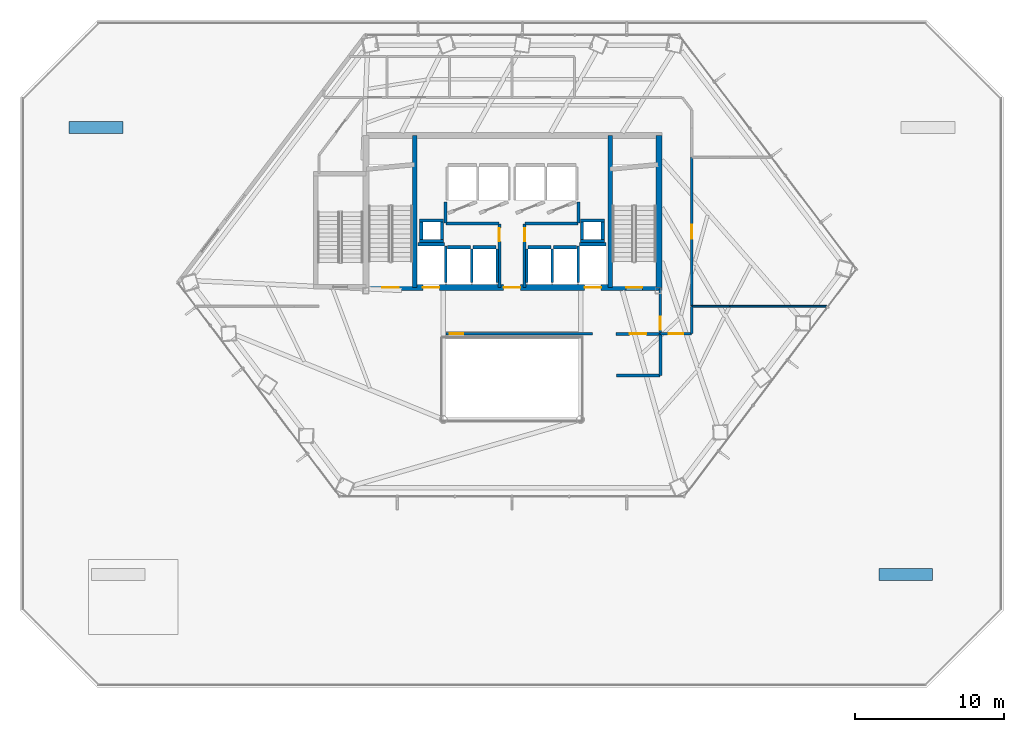
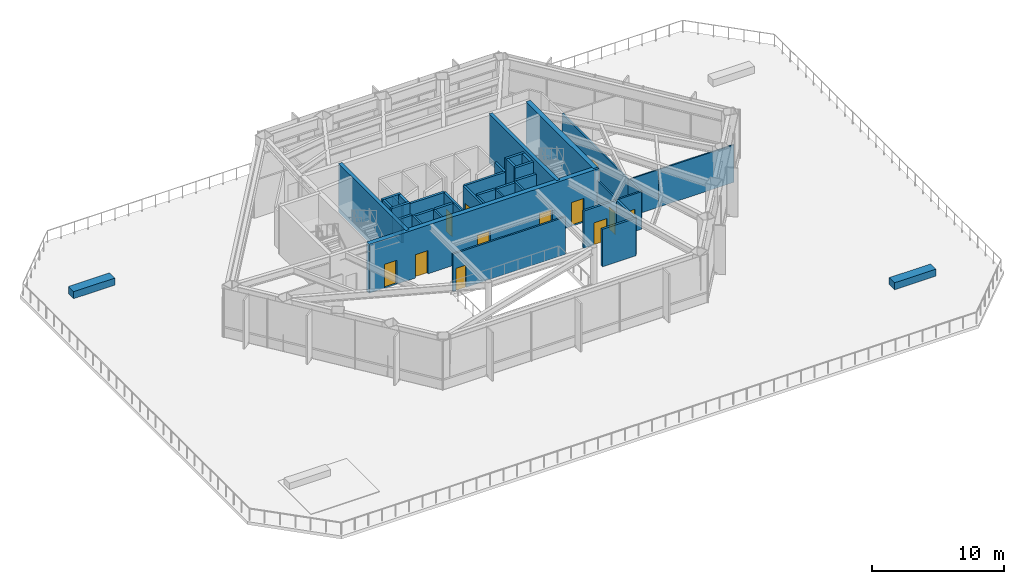
# One storey, part 21 of 30: 42 walls, 12 doors, 12 openings.
"""IFC4 building model written with IfcOpenShell, lengths in metres."""

from ifc_helpers import new_model, si_unit, direction, frame, frame_2d, origin, place, context, subcontext, project, spatial, rectangle, extrude, material, layer, layer_set, type_object, element, fill, save


model = new_model("IFC4")

# Units and contexts
model_context = context("Model", 3, precision=1e-05, world=origin(), true_north=direction((0.0, 1.0)))
body_context = subcontext(model_context, "Body", "Model", "MODEL_VIEW")
ifc_project = project(units=[si_unit("LENGTHUNIT", "METRE"), si_unit("AREAUNIT", "SQUARE_METRE"), si_unit("VOLUMEUNIT", "CUBIC_METRE"), si_unit("PLANEANGLEUNIT", "RADIAN"), si_unit("MASSUNIT", "GRAM", prefix="KILO")], contexts=[model_context])

# Site, building, storey
site_placement = place(None, origin())
site = spatial("IfcSite", under=ifc_project, at=site_placement, CompositionType="ELEMENT")
building_placement = place(site_placement, origin())
building = spatial("IfcBuilding", under=site, at=building_placement, Name="Zarrinselat Tower", CompositionType="ELEMENT")
storey_placement = place(building_placement, frame((0.0, 0.0, 22.780029296875)))
storey = spatial("IfcBuildingStorey", under=building, at=storey_placement, Name="L05", CompositionType="ELEMENT", Elevation=22.780029296875)

# Wall, opening, door
ifc_material_1 = material(Name="Concrete C40/50", Category="concrete")
ifc_layer_1 = layer(ifc_material_1, 0.18994140625)
ifc_layer_set_1 = layer_set([ifc_layer_1], Name="Concrete C40/50")
wall_type_1 = type_object("IfcWallType", Name="WAL-PART-EI120", PredefinedType="PARTITIONING", material=ifc_layer_set_1)
wall_1_placement = place(storey_placement, frame((45.385009765625, 30.14990234375, 0.0), z_axis=(0.0, 0.0, 1.0), x_axis=(1.0, 0.0, 0.0)))
wall_1 = element("IfcWall", 1, at=wall_1_placement, inside=storey, type_object=wall_type_1, Name="L05 Partition Wall 7", PredefinedType="PARTITIONING", context=body_context, shape_type="SweptSolid", body=[
    extrude(rectangle(XDim=2.945068359375, YDim=0.18994140625, at=frame_2d((1.47265625, 0.0))), origin(), (0.0, 0.0, 1.0), 3.45703125),
])
opening_1_placement = place(wall_1_placement, frame((0.91259765625, 0.0, 0.0)))
opening_1 = element("IfcOpeningElement", 2, at=opening_1_placement, cuts=wall_1, Name="Opening ID-02", PredefinedType="OPENING", context=body_context, shape_type="SweptSolid", body=[
    extrude(rectangle(XDim=1.1201171875, YDim=2.050048828125, at=frame_2d((0.56005859375, 1.02490234375))), frame((0.0, 0.10498046875, 0.0), z_axis=(0.0, -1.0, 0.0), x_axis=(1.0, 0.0, 0.0)), (0.0, 0.0, 1.0), 0.2099609375),
])
ifc_material_2 = material(Name="Steel S355J2", Category="steel")
door_type_1 = type_object("IfcDoorType", Name="DR-INT-FD60-W", OperationType="NOTDEFINED", PredefinedType="DOOR", material=ifc_material_2)
door_1_placement = place(opening_1_placement, origin())
door_1 = element("IfcDoor", 3, at=door_1_placement, inside=storey, type_object=door_type_1, Name="L05 Interior Door P7", OperationType="SINGLE_SWING_RIGHT", OverallHeight=2.050048828125, OverallWidth=1.1201171875, PredefinedType="DOOR", context=body_context, shape_type="SweptSolid", body=[
    extrude(rectangle(XDim=1.1201171875, YDim=2.050048828125, at=frame_2d((0.56005859375, 1.02490234375))), frame((0.0, 0.02490234375, 0.0), z_axis=(0.0, -1.0, 0.0), x_axis=(1.0, 0.0, 0.0)), (0.0, 0.0, 1.0), 0.050048828125),
])
fill(opening_1, door_1)

# Walls
wall_2_placement = place(storey_placement, frame((45.39990234375, 27.35009765625, 0.0), z_axis=(0.0, 0.0, 1.0), x_axis=(1.0, 0.0, 0.0)))
element("IfcWall", 4, at=wall_2_placement, inside=storey, type_object=wall_type_1, Name="L05 Partition Wall 10", PredefinedType="PARTITIONING", context=body_context, shape_type="SweptSolid", body=[
    extrude(rectangle(XDim=2.93017578125, YDim=0.18994140625, at=frame_2d((1.465087890625, 0.0))), origin(), (0.0, 0.0, 1.0), 3.45703125),
])
wall_3_placement = place(storey_placement, frame((48.35009765625, 27.3701171875, 0.0), z_axis=(0.0, 0.0, 1.0), x_axis=(0.0, 1.0, 0.0)))
element("IfcWall", 5, at=wall_3_placement, inside=storey, type_object=wall_type_1, Name="L05 Partition Wall 11", PredefinedType="PARTITIONING", context=body_context, shape_type="SweptSolid", body=[
    extrude(rectangle(XDim=2.759765625, YDim=0.18994140625, at=frame_2d((1.3798828125, 0.0))), origin(), (0.0, 0.0, 1.0), 3.45703125),
])

# Wall, opening, door
ifc_material_3 = material(Name="Fire-Rated Gypsum Board Partition", Category="gypsum")
ifc_layer_2 = layer(ifc_material_3, 0.14990234375)
ifc_layer_set_2 = layer_set([ifc_layer_2], Name="Fire-Rated Gypsum Board Partition")
wall_type_2 = type_object("IfcWallType", Name="WAL-PART-EI60", PredefinedType="PARTITIONING", material=ifc_layer_set_2)
wall_4_placement = place(storey_placement, frame((48.35009765625, 30.169921875, 0.0), z_axis=(0.0, 0.0, 1.0), x_axis=(0.0, 1.0, 0.0)))
wall_4 = element("IfcWall", 6, at=wall_4_placement, inside=storey, type_object=wall_type_2, Name="L05 Partition Wall 8", PredefinedType="PARTITIONING", context=body_context, shape_type="SweptSolid", body=[
    extrude(rectangle(XDim=2.97509765625, YDim=0.14990234375, at=frame_2d((1.487548828125, 0.0))), origin(), (0.0, 0.0, 1.0), 3.45703125),
])
opening_2_placement = place(wall_4_placement, frame((0.25, 0.0, 0.0)))
opening_2 = element("IfcOpeningElement", 7, at=opening_2_placement, cuts=wall_4, Name="Opening ID-03", PredefinedType="OPENING", context=body_context, shape_type="SweptSolid", body=[
    extrude(rectangle(XDim=0.8798828125, YDim=2.050048828125, at=frame_2d((0.43994140625, 1.02490234375))), frame((0.0, 0.0849609375, 0.0), z_axis=(0.0, -1.0, 0.0), x_axis=(1.0, 0.0, 0.0)), (0.0, 0.0, 1.0), 0.169921875),
])
ifc_material_4 = material(Name="Steel S355J2", Category="steel")
door_type_2 = type_object("IfcDoorType", Name="DR-INT-FD60-S", OperationType="NOTDEFINED", PredefinedType="DOOR", material=ifc_material_4)
door_2_placement = place(opening_2_placement, origin())
door_2 = element("IfcDoor", 8, at=door_2_placement, inside=storey, type_object=door_type_2, Name="L05 Interior Door P8", OperationType="SINGLE_SWING_LEFT", OverallHeight=2.050048828125, OverallWidth=0.8798828125, PredefinedType="DOOR", context=body_context, shape_type="SweptSolid", body=[
    extrude(rectangle(XDim=0.8798828125, YDim=2.050048828125, at=frame_2d((0.43994140625, 1.02490234375))), frame((0.0, 0.02490234375, 0.0), z_axis=(0.0, -1.0, 0.0), x_axis=(1.0, 0.0, 0.0)), (0.0, 0.0, 1.0), 0.050048828125),
])
fill(opening_2, door_2)

wall_5_placement = place(storey_placement, frame((33.985107421875, 30.14990234375, 0.0), z_axis=(0.0, 0.0, 1.0), x_axis=(1.0, 0.0, 0.0)))
wall_5 = element("IfcWall", 9, at=wall_5_placement, inside=storey, type_object=wall_type_2, Name="L05 Partition Wall 9", PredefinedType="PARTITIONING", context=body_context, shape_type="SweptSolid", body=[
    extrude(rectangle(XDim=9.829833984375, YDim=0.14990234375, at=frame_2d((4.9150390625, 0.0))), origin(), (0.0, 0.0, 1.0), 3.45703125),
])
opening_3_placement = place(wall_5_placement, frame((0.25, 0.0, 0.0)))
opening_3 = element("IfcOpeningElement", 10, at=opening_3_placement, cuts=wall_5, Name="Opening ID-03", PredefinedType="OPENING", context=body_context, shape_type="SweptSolid", body=[
    extrude(rectangle(XDim=0.8798828125, YDim=2.050048828125, at=frame_2d((0.43994140625, 1.02490234375))), frame((0.0, 0.0849609375, 0.0), z_axis=(0.0, -1.0, 0.0), x_axis=(1.0, 0.0, 0.0)), (0.0, 0.0, 1.0), 0.169921875),
])
door_3_placement = place(opening_3_placement, origin())
door_3 = element("IfcDoor", 11, at=door_3_placement, inside=storey, type_object=door_type_2, Name="L05 Interior Door P9", OperationType="SINGLE_SWING_RIGHT", OverallHeight=2.050048828125, OverallWidth=0.8798828125, PredefinedType="DOOR", context=body_context, shape_type="SweptSolid", body=[
    extrude(rectangle(XDim=0.8798828125, YDim=2.050048828125, at=frame_2d((0.43994140625, 1.02490234375))), frame((0.0, 0.02490234375, 0.0), z_axis=(0.0, -1.0, 0.0), x_axis=(1.0, 0.0, 0.0)), (0.0, 0.0, 1.0), 0.050048828125),
])
fill(opening_3, door_3)

# Wall
wall_6_placement = place(storey_placement, frame((50.449951171875, 30.169921875, 0.0), z_axis=(0.0, 0.0, 1.0), x_axis=(0.0, 1.0, 0.0)))
element("IfcWall", 12, at=wall_6_placement, inside=storey, type_object=wall_type_2, Name="L05 Partition Wall 16", PredefinedType="PARTITIONING", context=body_context, shape_type="SweptSolid", body=[
    extrude(rectangle(XDim=1.8251953125, YDim=0.14990234375, at=frame_2d((0.91259765625, 0.0))), origin(), (0.0, 0.0, 1.0), 3.45703125),
])

# Wall, opening, door
wall_7_placement = place(storey_placement, frame((48.3701171875, 30.14990234375, 0.0), z_axis=(0.0, 0.0, 1.0), x_axis=(1.0, 0.0, 0.0)))
wall_7 = element("IfcWall", 13, at=wall_7_placement, inside=storey, type_object=wall_type_2, Name="L05 Partition Wall 17", PredefinedType="PARTITIONING", context=body_context, shape_type="SweptSolid", body=[
    extrude(rectangle(XDim=2.059814453125, YDim=0.14990234375, at=frame_2d((1.02978515625, 0.0))), origin(), (0.0, 0.0, 1.0), 3.45703125),
])
opening_4_placement = place(wall_7_placement, frame((0.56005859375, 0.0, 0.0)))
opening_4 = element("IfcOpeningElement", 14, at=opening_4_placement, cuts=wall_7, Name="Opening ID-04", PredefinedType="OPENING", context=body_context, shape_type="SweptSolid", body=[
    extrude(rectangle(XDim=0.93994140625, YDim=2.050048828125, at=frame_2d((0.469970703125, 1.02490234375))), frame((0.0, 0.0849609375, 0.0), z_axis=(0.0, -1.0, 0.0), x_axis=(1.0, 0.0, 0.0)), (0.0, 0.0, 1.0), 0.169921875),
])
ifc_material_5 = material(Name="Fire-Rated Gypsum Board Partition")
door_type_3 = type_object("IfcDoorType", Name="DR-INT-FD30-ENT", OperationType="NOTDEFINED", PredefinedType="DOOR", material=ifc_material_5)
door_4_placement = place(opening_4_placement, origin())
door_4 = element("IfcDoor", 15, at=door_4_placement, inside=storey, type_object=door_type_3, Name="L05 Interior Door P17", OperationType="SINGLE_SWING_LEFT", OverallHeight=2.050048828125, OverallWidth=0.93994140625, PredefinedType="DOOR", context=body_context, shape_type="SweptSolid", body=[
    extrude(rectangle(XDim=0.93994140625, YDim=2.050048828125, at=frame_2d((0.469970703125, 1.02490234375))), frame((0.0, 0.02490234375, 0.0), z_axis=(0.0, -1.0, 0.0), x_axis=(1.0, 0.0, 0.0)), (0.0, 0.0, 1.0), 0.050048828125),
])
fill(opening_4, door_4)

wall_8_placement = place(storey_placement, frame((50.449951171875, 32.0048828125, 0.0), z_axis=(0.0, 0.0, 1.0), x_axis=(0.0, 1.0, 0.0)))
wall_8 = element("IfcWall", 16, at=wall_8_placement, inside=storey, type_object=wall_type_2, Name="L05 Partition Wall 18", PredefinedType="PARTITIONING", context=body_context, shape_type="SweptSolid", body=[
    extrude(rectangle(XDim=9.990234375, YDim=0.14990234375, at=frame_2d((4.9951171875, 0.0))), origin(), (0.0, 0.0, 1.0), 3.45703125),
])
opening_5_placement = place(wall_8_placement, frame((4.52490234375, 0.0, 0.0)))
opening_5 = element("IfcOpeningElement", 17, at=opening_5_placement, cuts=wall_8, Name="Opening ID-04", PredefinedType="OPENING", context=body_context, shape_type="SweptSolid", body=[
    extrude(rectangle(XDim=0.93994140625, YDim=2.050048828125, at=frame_2d((0.469970703125, 1.02490234375))), frame((0.0, 0.0849609375, 0.0), z_axis=(0.0, -1.0, 0.0), x_axis=(1.0, 0.0, 0.0)), (0.0, 0.0, 1.0), 0.169921875),
])
door_5_placement = place(opening_5_placement, origin())
door_5 = element("IfcDoor", 18, at=door_5_placement, inside=storey, type_object=door_type_3, Name="L05 Interior Door P18", OperationType="SINGLE_SWING_RIGHT", OverallHeight=2.050048828125, OverallWidth=0.93994140625, PredefinedType="DOOR", context=body_context, shape_type="SweptSolid", body=[
    extrude(rectangle(XDim=0.93994140625, YDim=2.050048828125, at=frame_2d((0.469970703125, 1.02490234375))), frame((0.0, 0.02490234375, 0.0), z_axis=(0.0, -1.0, 0.0), x_axis=(1.0, 0.0, 0.0)), (0.0, 0.0, 1.0), 0.050048828125),
])
fill(opening_5, door_5)

ifc_material_6 = material(Name="Concrete C40/50", Category="concrete")
ifc_layer_3 = layer(ifc_material_6, 0.199951171875)
ifc_layer_set_3 = layer_set([ifc_layer_3], Name="Concrete C40/50")
wall_type_3 = type_object("IfcWallType", Name="WAL-PART-PLANT", PredefinedType="PARTITIONING", material=ifc_layer_set_3)
wall_9_placement = place(storey_placement, frame((37.550048828125, 33.264892578125, 0.0), z_axis=(0.0, 0.0, 1.0), x_axis=(0.0, 1.0, 0.0)))
wall_9 = element("IfcWall", 19, at=wall_9_placement, inside=storey, type_object=wall_type_3, Name="L05 Partition Wall 1", PredefinedType="PARTITIONING", context=body_context, shape_type="SweptSolid", body=[
    extrude(rectangle(XDim=4.26513671875, YDim=0.199951171875, at=frame_2d((2.132568359375, 0.0))), origin(), (0.0, 0.0, 1.0), 3.45703125),
])
opening_6_placement = place(wall_9_placement, frame((3.092529296875, 0.0, 0.0)))
opening_6 = element("IfcOpeningElement", 20, at=opening_6_placement, cuts=wall_9, Name="Opening ID-03", PredefinedType="OPENING", context=body_context, shape_type="SweptSolid", body=[
    extrude(rectangle(XDim=0.8798828125, YDim=2.050048828125, at=frame_2d((0.43994140625, 1.02490234375))), frame((0.0, 0.10986328125, 0.0), z_axis=(0.0, -1.0, 0.0), x_axis=(1.0, 0.0, 0.0)), (0.0, 0.0, 1.0), 0.219970703125),
])
door_6_placement = place(opening_6_placement, origin())
door_6 = element("IfcDoor", 21, at=door_6_placement, inside=storey, type_object=door_type_2, Name="L05 Interior Door P1", OperationType="SINGLE_SWING_RIGHT", OverallHeight=2.050048828125, OverallWidth=0.8798828125, PredefinedType="DOOR", context=body_context, shape_type="SweptSolid", body=[
    extrude(rectangle(XDim=0.8798828125, YDim=2.050048828125, at=frame_2d((0.43994140625, 1.02490234375))), frame((0.0, 0.02490234375, 0.0), z_axis=(0.0, -1.0, 0.0), x_axis=(1.0, 0.0, 0.0)), (0.0, 0.0, 1.0), 0.050048828125),
])
fill(opening_6, door_6)

# Walls
wall_10_placement = place(storey_placement, frame((33.969970703125, 37.550048828125, 0.0), z_axis=(0.0, 0.0, 1.0), x_axis=(1.0, 0.0, 0.0)))
element("IfcWall", 22, at=wall_10_placement, inside=storey, type_object=wall_type_3, Name="L05 Partition Wall 2", PredefinedType="PARTITIONING", context=body_context, shape_type="SweptSolid", body=[
    extrude(rectangle(XDim=3.56005859375, YDim=0.199951171875, at=frame_2d((1.780029296875, 0.0))), origin(), (0.0, 0.0, 1.0), 3.45703125),
])
for number, where, z_axis, x_axis, name in (
    (23, (33.949951171875, 37.570068359375, 0.0), (0.0, 0.0, 1.0), (0.0, 1.0, 0.0), "L05 Partition Wall 3"),
    (24, (42.85009765625, 37.570068359375, 0.0), (0.0, 0.0, 1.0), (0.0, 1.0, 0.0), "L05 Partition Wall 4"),
):
    element("IfcWall", number, at=place(storey_placement, frame(where, z_axis=z_axis, x_axis=x_axis)), inside=storey, type_object=wall_type_3, Name=name, PredefinedType="PARTITIONING", context=body_context, shape_type="SweptSolid", body=[
        extrude(rectangle(XDim=1.4150390625, YDim=0.199951171875, at=frame_2d((0.70751953125, 0.0))), origin(), (0.0, 0.0, 1.0), 3.45703125),
    ])
wall_11_placement = place(storey_placement, frame((39.27001953125, 37.550048828125, 0.0), z_axis=(0.0, 0.0, 1.0), x_axis=(1.0, 0.0, 0.0)))
element("IfcWall", 25, at=wall_11_placement, inside=storey, type_object=wall_type_3, Name="L05 Partition Wall 5", PredefinedType="PARTITIONING", context=body_context, shape_type="SweptSolid", body=[
    extrude(rectangle(XDim=3.56005859375, YDim=0.199951171875, at=frame_2d((1.780029296875, 0.0))), origin(), (0.0, 0.0, 1.0), 3.45703125),
])

# Wall, opening, door
wall_12_placement = place(storey_placement, frame((39.25, 33.264892578125, 0.0), z_axis=(0.0, 0.0, 1.0), x_axis=(0.0, 1.0, 0.0)))
wall_12 = element("IfcWall", 26, at=wall_12_placement, inside=storey, type_object=wall_type_3, Name="L05 Partition Wall 6", PredefinedType="PARTITIONING", context=body_context, shape_type="SweptSolid", body=[
    extrude(rectangle(XDim=4.26513671875, YDim=0.199951171875, at=frame_2d((2.132568359375, 0.0))), origin(), (0.0, 0.0, 1.0), 3.45703125),
])
opening_7_placement = place(wall_12_placement, frame((3.092529296875, 0.0, 0.0)))
opening_7 = element("IfcOpeningElement", 27, at=opening_7_placement, cuts=wall_12, Name="Opening ID-03", PredefinedType="OPENING", context=body_context, shape_type="SweptSolid", body=[
    extrude(rectangle(XDim=0.8798828125, YDim=2.050048828125, at=frame_2d((0.43994140625, 1.02490234375))), frame((0.0, 0.10986328125, 0.0), z_axis=(0.0, -1.0, 0.0), x_axis=(1.0, 0.0, 0.0)), (0.0, 0.0, 1.0), 0.219970703125),
])
door_7_placement = place(opening_7_placement, origin())
door_7 = element("IfcDoor", 28, at=door_7_placement, inside=storey, type_object=door_type_2, Name="L05 Interior Door P6", OperationType="SINGLE_SWING_LEFT", OverallHeight=2.050048828125, OverallWidth=0.8798828125, PredefinedType="DOOR", context=body_context, shape_type="SweptSolid", body=[
    extrude(rectangle(XDim=0.8798828125, YDim=2.050048828125, at=frame_2d((0.43994140625, 1.02490234375))), frame((0.0, 0.02490234375, 0.0), z_axis=(0.0, -1.0, 0.0), x_axis=(1.0, 0.0, 0.0)), (0.0, 0.0, 1.0), 0.050048828125),
])
fill(opening_7, door_7)

# Walls
ifc_material_7 = material(Name="Fire-Rated Gypsum Board Partition", Category="gypsum")
ifc_layer_4 = layer(ifc_material_7, 0.1201171875)
ifc_layer_set_4 = layer_set([ifc_layer_4], Name="Fire-Rated Gypsum Board Partition")
wall_type_4 = type_object("IfcWallType", Name="WAL-PART-STD", PredefinedType="PARTITIONING", material=ifc_layer_set_4)
wall_13_placement = place(storey_placement, frame((50.469970703125, 32.0, 0.0), z_axis=(0.0, 0.0, 1.0), x_axis=(1.0, 0.0, 0.0)))
element("IfcWall", 29, at=wall_13_placement, inside=storey, type_object=wall_type_4, Name="L05 Partition Wall 36", PredefinedType="PARTITIONING", context=body_context, shape_type="SweptSolid", body=[
    extrude(rectangle(XDim=2.530029296875, YDim=0.1201171875, at=frame_2d((1.26513671875, 0.0))), origin(), (0.0, 0.0, 1.0), 3.45703125),
])
wall_14_placement = place(storey_placement, frame((53.0, 32.0, 0.0), z_axis=(0.0, 0.0, 1.0), x_axis=(1.0, 0.0, 0.0)))
element("IfcWall", 30, at=wall_14_placement, inside=storey, type_object=wall_type_4, Name="L05 Partition Wall 37", PredefinedType="PARTITIONING", context=body_context, shape_type="SweptSolid", body=[
    extrude(rectangle(XDim=6.59716796875, YDim=0.1201171875, at=frame_2d((3.298583984375, 0.0))), origin(), (0.0, 0.0, 1.0), 3.45703125),
])
ifc_material_8 = material(Name="Honed Cream Travertine Stone", Category="masonry")
ifc_layer_5 = layer(ifc_material_8, 0.199951171875)
ifc_layer_set_5 = layer_set([ifc_layer_5], Name="Honed Cream Travertine Stone")
wall_type_5 = type_object("IfcWallType", Name="WAL-PLANTER-200", PredefinedType="PARAPET", material=ifc_layer_set_5)
for number, where, z_axis, x_axis, name in (
    (31, (63.0, 14.0, 0.0), (0.0, 0.0, 1.0), (1.0, 0.0, 0.0), "L05 Chahar-Bagh Raised Stone PLANTER Bed 2"),
    (32, (8.699951171875, 44.0, 0.0), (0.0, 0.0, 1.0), (1.0, 0.0, 0.0), "L05 Chahar-Bagh Raised Stone PLANTER Bed 3"),
):
    element("IfcWall", number, at=place(storey_placement, frame(where, z_axis=z_axis, x_axis=x_axis)), inside=storey, type_object=wall_type_5, Name=name, PredefinedType="PARAPET", context=body_context, shape_type="SweptSolid", body=[
        extrude(rectangle(XDim=3.60009765625, YDim=0.800048828125, at=frame_2d((1.800048828125, 0.0))), origin(), (0.0, 0.0, 1.0), 0.64990234375),
    ])
ifc_material_9 = material(Name="Concrete C40/50", Category="concrete")
ifc_layer_6 = layer(ifc_material_9, 0.2099609375)
ifc_layer_set_6 = layer_set([ifc_layer_6], Name="Concrete C40/50")
wall_type_6 = type_object("IfcWallType", Name="WAL-SHAFT-210", PredefinedType="SOLIDWALL", material=ifc_layer_set_6)
wall_15_placement = place(storey_placement, frame((32.080078125, 36.155029296875, 0.0), z_axis=(0.0, 0.0, 1.0), x_axis=(1.0, 0.0, 0.0)))
element("IfcWall", 33, at=wall_15_placement, inside=storey, type_object=wall_type_6, Name="L05 Lift FFL1 North Shaft Wall", PredefinedType="SOLIDWALL", context=body_context, shape_type="SweptSolid", body=[
    extrude(rectangle(XDim=1.7998046875, YDim=0.2099609375, at=frame_2d((0.89990234375, 0.0))), origin(), (0.0, 0.0, 1.0), 3.471923828125),
])
wall_16_placement = place(storey_placement, frame((33.949951171875, 33.580078125, 0.0), z_axis=(0.0, 0.0, 1.0), x_axis=(0.0, 1.0, 0.0)))
element("IfcWall", 34, at=wall_16_placement, inside=storey, type_object=wall_type_6, Name="L05 Lift FFL1 E Shaft Wall", PredefinedType="SOLIDWALL", context=body_context, shape_type="SweptSolid", body=[
    extrude(rectangle(XDim=2.449951171875, YDim=0.159912109375, at=frame_2d((1.22509765625, 0.0))), origin(), (0.0, 0.0, 1.0), 3.471923828125),
])
wall_17_placement = place(storey_placement, frame((42.919921875, 36.155029296875, 0.0), z_axis=(0.0, 0.0, 1.0), x_axis=(1.0, 0.0, 0.0)))
element("IfcWall", 35, at=wall_17_placement, inside=storey, type_object=wall_type_6, Name="L05 Lift FFL2 North Shaft Wall", PredefinedType="SOLIDWALL", context=body_context, shape_type="SweptSolid", body=[
    extrude(rectangle(XDim=1.800048828125, YDim=0.2099609375, at=frame_2d((0.89990234375, 0.0))), origin(), (0.0, 0.0, 1.0), 3.471923828125),
])
wall_18_placement = place(storey_placement, frame((42.85009765625, 33.580078125, 0.0), z_axis=(0.0, 0.0, 1.0), x_axis=(0.0, 1.0, 0.0)))
element("IfcWall", 36, at=wall_18_placement, inside=storey, type_object=wall_type_6, Name="L05 Lift FFL2 W Shaft Wall", PredefinedType="SOLIDWALL", context=body_context, shape_type="SweptSolid", body=[
    extrude(rectangle(XDim=2.449951171875, YDim=0.159912109375, at=frame_2d((1.22509765625, 0.0))), origin(), (0.0, 0.0, 1.0), 3.471923828125),
])
wall_19_placement = place(storey_placement, frame((34.070068359375, 35.955078125, 0.0), z_axis=(0.0, 0.0, 1.0), x_axis=(1.0, 0.0, 0.0)))
element("IfcWall", 37, at=wall_19_placement, inside=storey, type_object=wall_type_6, Name="L05 Lift PL5 North Shaft Wall", PredefinedType="SOLIDWALL", context=body_context, shape_type="SweptSolid", body=[
    extrude(rectangle(XDim=1.559814453125, YDim=0.2099609375, at=frame_2d((0.77978515625, 0.0))), origin(), (0.0, 0.0, 1.0), 3.471923828125),
])
wall_20_placement = place(storey_placement, frame((35.699951171875, 33.580078125, 0.0), z_axis=(0.0, 0.0, 1.0), x_axis=(0.0, 1.0, 0.0)))
element("IfcWall", 38, at=wall_20_placement, inside=storey, type_object=wall_type_6, Name="L05 Lift PL5 E Shaft Wall", PredefinedType="SOLIDWALL", context=body_context, shape_type="SweptSolid", body=[
    extrude(rectangle(XDim=2.25, YDim=0.159912109375, at=frame_2d((1.125, 0.0))), origin(), (0.0, 0.0, 1.0), 3.471923828125),
])
wall_21_placement = place(storey_placement, frame((35.77001953125, 35.955078125, 0.0), z_axis=(0.0, 0.0, 1.0), x_axis=(1.0, 0.0, 0.0)))
element("IfcWall", 39, at=wall_21_placement, inside=storey, type_object=wall_type_6, Name="L05 Lift PL6 North Shaft Wall", PredefinedType="SOLIDWALL", context=body_context, shape_type="SweptSolid", body=[
    extrude(rectangle(XDim=1.56005859375, YDim=0.2099609375, at=frame_2d((0.780029296875, 0.0))), origin(), (0.0, 0.0, 1.0), 3.471923828125),
])
wall_22_placement = place(storey_placement, frame((37.39990234375, 33.580078125, 0.0), z_axis=(0.0, 0.0, 1.0), x_axis=(0.0, 1.0, 0.0)))
element("IfcWall", 40, at=wall_22_placement, inside=storey, type_object=wall_type_6, Name="L05 Lift PL6 E Shaft Wall", PredefinedType="SOLIDWALL", context=body_context, shape_type="SweptSolid", body=[
    extrude(rectangle(XDim=2.25, YDim=0.159912109375, at=frame_2d((1.125, 0.0))), origin(), (0.0, 0.0, 1.0), 3.471923828125),
])
wall_23_placement = place(storey_placement, frame((39.469970703125, 35.955078125, 0.0), z_axis=(0.0, 0.0, 1.0), x_axis=(1.0, 0.0, 0.0)))
element("IfcWall", 41, at=wall_23_placement, inside=storey, type_object=wall_type_6, Name="L05 Lift PL8 North Shaft Wall", PredefinedType="SOLIDWALL", context=body_context, shape_type="SweptSolid", body=[
    extrude(rectangle(XDim=1.56005859375, YDim=0.2099609375, at=frame_2d((0.780029296875, 0.0))), origin(), (0.0, 0.0, 1.0), 3.471923828125),
])
for number, where, z_axis, x_axis, name in (
    (42, (39.39990234375, 33.580078125, 0.0), (0.0, 0.0, 1.0), (0.0, 1.0, 0.0), "L05 Lift PL8 W Shaft Wall"),
    (43, (41.10009765625, 33.580078125, 0.0), (0.0, 0.0, 1.0), (0.0, 1.0, 0.0), "L05 Lift PL8 E Shaft Wall"),
):
    element("IfcWall", number, at=place(storey_placement, frame(where, z_axis=z_axis, x_axis=x_axis)), inside=storey, type_object=wall_type_6, Name=name, PredefinedType="SOLIDWALL", context=body_context, shape_type="SweptSolid", body=[
        extrude(rectangle(XDim=2.25, YDim=0.159912109375, at=frame_2d((1.125, 0.0))), origin(), (0.0, 0.0, 1.0), 3.471923828125),
    ])
wall_24_placement = place(storey_placement, frame((41.169921875, 35.955078125, 0.0), z_axis=(0.0, 0.0, 1.0), x_axis=(1.0, 0.0, 0.0)))
element("IfcWall", 44, at=wall_24_placement, inside=storey, type_object=wall_type_6, Name="L05 Lift PL9 North Shaft Wall", PredefinedType="SOLIDWALL", context=body_context, shape_type="SweptSolid", body=[
    extrude(rectangle(XDim=1.56005859375, YDim=0.2099609375, at=frame_2d((0.780029296875, 0.0))), origin(), (0.0, 0.0, 1.0), 3.471923828125),
])
for number, where, z_axis, x_axis, name in (
    (45, (32.2099609375, 36.375, 0.0), (0.0, 0.0, 1.0), (1.0, 0.0, 0.0), "L05 Core Riser RSR-W S Shaft Wall"),
    (46, (32.2099609375, 37.7451171875, 0.0), (0.0, 0.0, 1.0), (1.0, 0.0, 0.0), "L05 Core Riser RSR-W N Shaft Wall"),
):
    element("IfcWall", number, at=place(storey_placement, frame(where, z_axis=z_axis, x_axis=x_axis)), inside=storey, type_object=wall_type_6, Name=name, PredefinedType="SOLIDWALL", context=body_context, shape_type="SweptSolid", body=[
        extrude(rectangle(XDim=1.60009765625, YDim=0.2099609375, at=frame_2d((0.800048828125, 0.0))), origin(), (0.0, 0.0, 1.0), 4.5),
    ])
for number, where, z_axis, x_axis, name in (
    (47, (32.31494140625, 36.485107421875, 0.0), (0.0, 0.0, 1.0), (0.0, 1.0, 0.0), "L05 Core Riser RSR-W W Shaft Wall"),
    (48, (33.705078125, 36.485107421875, 0.0), (0.0, 0.0, 1.0), (0.0, 1.0, 0.0), "L05 Core Riser RSR-W E Shaft Wall"),
):
    element("IfcWall", number, at=place(storey_placement, frame(where, z_axis=z_axis, x_axis=x_axis)), inside=storey, type_object=wall_type_6, Name=name, PredefinedType="SOLIDWALL", context=body_context, shape_type="SweptSolid", body=[
        extrude(rectangle(XDim=1.14990234375, YDim=0.2099609375, at=frame_2d((0.574951171875, 0.0))), origin(), (0.0, 0.0, 1.0), 4.5),
    ])
for number, where, z_axis, x_axis, name in (
    (49, (42.989990234375, 36.375, 0.0), (0.0, 0.0, 1.0), (1.0, 0.0, 0.0), "L05 Core Riser RSR-E S Shaft Wall"),
    (50, (42.989990234375, 37.7451171875, 0.0), (0.0, 0.0, 1.0), (1.0, 0.0, 0.0), "L05 Core Riser RSR-E N Shaft Wall"),
):
    element("IfcWall", number, at=place(storey_placement, frame(where, z_axis=z_axis, x_axis=x_axis)), inside=storey, type_object=wall_type_6, Name=name, PredefinedType="SOLIDWALL", context=body_context, shape_type="SweptSolid", body=[
        extrude(rectangle(XDim=1.60009765625, YDim=0.2099609375, at=frame_2d((0.800048828125, 0.0))), origin(), (0.0, 0.0, 1.0), 4.5),
    ])
for number, where, z_axis, x_axis, name in (
    (51, (43.094970703125, 36.485107421875, 0.0), (0.0, 0.0, 1.0), (0.0, 1.0, 0.0), "L05 Core Riser RSR-E W Shaft Wall"),
    (52, (44.485107421875, 36.485107421875, 0.0), (0.0, 0.0, 1.0), (0.0, 1.0, 0.0), "L05 Core Riser RSR-E E Shaft Wall"),
):
    element("IfcWall", number, at=place(storey_placement, frame(where, z_axis=z_axis, x_axis=x_axis)), inside=storey, type_object=wall_type_6, Name=name, PredefinedType="SOLIDWALL", context=body_context, shape_type="SweptSolid", body=[
        extrude(rectangle(XDim=1.14990234375, YDim=0.2099609375, at=frame_2d((0.574951171875, 0.0))), origin(), (0.0, 0.0, 1.0), 4.5),
    ])
ifc_material_10 = material(Name="Concrete C40/50", Category="concrete")
ifc_layer_7 = layer(ifc_material_10, 0.300048828125)
ifc_layer_set_7 = layer_set([ifc_layer_7], Name="Concrete C40/50")
wall_type_7 = type_object("IfcWallType", Name="WAL-SHEAR-300", PredefinedType="SHEAR", material=ifc_layer_set_7)
for number, where, z_axis, x_axis, name in (
    (53, (31.8701171875, 33.25, 0.0), (0.0, 0.0, 1.0), (0.0, 1.0, 0.0), "L05 Core Shear Wall ST1E"),
    (54, (44.989990234375, 33.25, 0.0), (0.0, 0.0, 1.0), (0.0, 1.0, 0.0), "L05 Core Shear Wall ST2W"),
):
    element("IfcWall", number, at=place(storey_placement, frame(where, z_axis=z_axis, x_axis=x_axis)), inside=storey, type_object=wall_type_7, Name=name, PredefinedType="SHEAR", context=body_context, shape_type="SweptSolid", body=[
        extrude(rectangle(XDim=10.199951171875, YDim=0.300048828125, at=frame_2d((5.10009765625, 0.0))), origin(), (0.0, 0.0, 1.0), 4.5),
    ])

# Wall, openings, doors
ifc_material_11 = material(Name="Concrete C60/75", Category="concrete")
ifc_layer_8 = layer(ifc_material_11, 0.39990234375)
ifc_layer_set_8 = layer_set([ifc_layer_8], Name="Concrete C60/75")
wall_type_8 = type_object("IfcWallType", Name="WAL-SHEAR-400", PredefinedType="SHEAR", material=ifc_layer_set_8)
wall_25_placement = place(storey_placement, frame((28.39990234375, 33.25, 0.0), z_axis=(0.0, 0.0, 1.0), x_axis=(1.0, 0.0, 0.0)))
wall_25 = element("IfcWall", 55, at=wall_25_placement, inside=storey, type_object=wall_type_8, Name="L05 South Core Shear Wall", PredefinedType="SHEAR", context=body_context, shape_type="SweptSolid", body=[
    extrude(rectangle(XDim=20.06005859375, YDim=0.39990234375, at=frame_2d((10.030029296875, 0.0))), origin(), (0.0, 0.0, 1.0), 4.5),
])
opening_8_placement = place(wall_25_placement, frame((4.030029296875, 0.0, 0.0)))
opening_8 = element("IfcOpeningElement", 56, at=opening_8_placement, cuts=wall_25, Name="Opening LD-FFL1", PredefinedType="OPENING", context=body_context, shape_type="SweptSolid", body=[
    extrude(rectangle(XDim=1.10009765625, YDim=2.14990234375, at=frame_2d((0.550048828125, 1.074951171875))), frame((0.0, 0.2099609375, 0.0), z_axis=(0.0, -1.0, 0.0), x_axis=(1.0, 0.0, 0.0)), (0.0, 0.0, 1.0), 0.419921875),
])
opening_9_placement = place(wall_25_placement, frame((14.8701171875, 0.0, 0.0)))
opening_9 = element("IfcOpeningElement", 57, at=opening_9_placement, cuts=wall_25, Name="Opening LD-FFL2", PredefinedType="OPENING", context=body_context, shape_type="SweptSolid", body=[
    extrude(rectangle(XDim=1.10009765625, YDim=2.14990234375, at=frame_2d((0.550048828125, 1.074951171875))), frame((0.0, 0.2099609375, 0.0), z_axis=(0.0, -1.0, 0.0), x_axis=(1.0, 0.0, 0.0)), (0.0, 0.0, 1.0), 0.419921875),
])
opening_10_placement = place(wall_25_placement, frame((1.31005859375, 0.0, 0.0)))
opening_10 = element("IfcOpeningElement", 58, at=opening_10_placement, cuts=wall_25, Name="Opening SD-01", PredefinedType="OPENING", context=body_context, shape_type="SweptSolid", body=[
    extrude(rectangle(XDim=1.10009765625, YDim=2.199951171875, at=frame_2d((0.550048828125, 1.10009765625))), frame((0.0, 0.2099609375, 0.0), z_axis=(0.0, -1.0, 0.0), x_axis=(1.0, 0.0, 0.0)), (0.0, 0.0, 1.0), 0.419921875),
])
opening_11_placement = place(wall_25_placement, frame((9.43994140625, 0.0, 0.0)))
opening_11 = element("IfcOpeningElement", 59, at=opening_11_placement, cuts=wall_25, Name="Opening ID-02", PredefinedType="OPENING", context=body_context, shape_type="SweptSolid", body=[
    extrude(rectangle(XDim=1.1201171875, YDim=2.050048828125, at=frame_2d((0.56005859375, 1.02490234375))), frame((0.0, 0.2099609375, 0.0), z_axis=(0.0, -1.0, 0.0), x_axis=(1.0, 0.0, 0.0)), (0.0, 0.0, 1.0), 0.419921875),
])
opening_12_placement = place(wall_25_placement, frame((17.64990234375, 0.0, 0.0)))
opening_12 = element("IfcOpeningElement", 60, at=opening_12_placement, cuts=wall_25, Name="Opening SD-01", PredefinedType="OPENING", context=body_context, shape_type="SweptSolid", body=[
    extrude(rectangle(XDim=1.10009765625, YDim=2.199951171875, at=frame_2d((0.550048828125, 1.10009765625))), frame((0.0, 0.2099609375, 0.0), z_axis=(0.0, -1.0, 0.0), x_axis=(1.0, 0.0, 0.0)), (0.0, 0.0, 1.0), 0.419921875),
])
door_8_placement = place(opening_11_placement, origin())
door_8 = element("IfcDoor", 61, at=door_8_placement, inside=storey, type_object=door_type_1, Name="L05 Core Service Vestibule Fire Door", OperationType="SINGLE_SWING_LEFT", OverallHeight=2.050048828125, OverallWidth=1.1201171875, PredefinedType="DOOR", context=body_context, shape_type="SweptSolid", body=[
    extrude(rectangle(XDim=1.1201171875, YDim=2.050048828125, at=frame_2d((0.56005859375, 1.02490234375))), frame((0.0, 0.02490234375, 0.0), z_axis=(0.0, -1.0, 0.0), x_axis=(1.0, 0.0, 0.0)), (0.0, 0.0, 1.0), 0.050048828125),
])
fill(opening_11, door_8)
ifc_material_12 = material(Name="Steel S355J2", Category="steel")
door_type_4 = type_object("IfcDoorType", Name="DR-LIFT-FF-1100", OperationType="NOTDEFINED", PredefinedType="DOOR", material=ifc_material_12)
door_9_placement = place(opening_8_placement, origin())
door_9 = element("IfcDoor", 62, at=door_9_placement, inside=storey, type_object=door_type_4, Name="L05 Lift FFL1 Sliding Landing Door", OperationType="SLIDING_TO_LEFT", OverallHeight=2.14990234375, OverallWidth=1.10009765625, PredefinedType="DOOR", context=body_context, shape_type="SweptSolid", body=[
    extrude(rectangle(XDim=1.10009765625, YDim=2.14990234375, at=frame_2d((0.550048828125, 1.074951171875))), frame((0.0, 0.02490234375, 0.0), z_axis=(0.0, -1.0, 0.0), x_axis=(1.0, 0.0, 0.0)), (0.0, 0.0, 1.0), 0.050048828125),
])
fill(opening_8, door_9)
door_10_placement = place(opening_9_placement, origin())
door_10 = element("IfcDoor", 63, at=door_10_placement, inside=storey, type_object=door_type_4, Name="L05 Lift FFL2 Sliding Landing Door", OperationType="SLIDING_TO_RIGHT", OverallHeight=2.14990234375, OverallWidth=1.10009765625, PredefinedType="DOOR", context=body_context, shape_type="SweptSolid", body=[
    extrude(rectangle(XDim=1.10009765625, YDim=2.14990234375, at=frame_2d((0.550048828125, 1.074951171875))), frame((0.0, 0.02490234375, 0.0), z_axis=(0.0, -1.0, 0.0), x_axis=(1.0, 0.0, 0.0)), (0.0, 0.0, 1.0), 0.050048828125),
])
fill(opening_9, door_10)
ifc_material_13 = material(Name="Steel S355J2", Category="steel")
door_type_5 = type_object("IfcDoorType", Name="DR-STAIR-1100", OperationType="NOTDEFINED", PredefinedType="DOOR", material=ifc_material_13)
door_11_placement = place(opening_10_placement, origin())
door_11 = element("IfcDoor", 64, at=door_11_placement, inside=storey, type_object=door_type_5, Name="L05 Exit Stair 1 Fire Door", OperationType="SINGLE_SWING_LEFT", OverallHeight=2.199951171875, OverallWidth=1.10009765625, PredefinedType="DOOR", context=body_context, shape_type="SweptSolid", body=[
    extrude(rectangle(XDim=1.10009765625, YDim=2.199951171875, at=frame_2d((0.550048828125, 1.10009765625))), frame((0.0, 0.02490234375, 0.0), z_axis=(0.0, -1.0, 0.0), x_axis=(1.0, 0.0, 0.0)), (0.0, 0.0, 1.0), 0.050048828125),
])
fill(opening_10, door_11)
door_12_placement = place(opening_12_placement, origin())
door_12 = element("IfcDoor", 65, at=door_12_placement, inside=storey, type_object=door_type_5, Name="L05 Exit Stair 2 Fire Door", OperationType="SINGLE_SWING_RIGHT", OverallHeight=2.199951171875, OverallWidth=1.10009765625, PredefinedType="DOOR", context=body_context, shape_type="SweptSolid", body=[
    extrude(rectangle(XDim=1.10009765625, YDim=2.199951171875, at=frame_2d((0.550048828125, 1.10009765625))), frame((0.0, 0.02490234375, 0.0), z_axis=(0.0, -1.0, 0.0), x_axis=(1.0, 0.0, 0.0)), (0.0, 0.0, 1.0), 0.050048828125),
])
fill(opening_12, door_12)

# Wall
wall_26_placement = place(storey_placement, frame((48.260009765625, 33.25, 0.0), z_axis=(0.0, 0.0, 1.0), x_axis=(0.0, 1.0, 0.0)))
element("IfcWall", 66, at=wall_26_placement, inside=storey, type_object=wall_type_8, Name="L05 Core Shear Wall E", PredefinedType="SHEAR", context=body_context, shape_type="SweptSolid", body=[
    extrude(rectangle(XDim=10.199951171875, YDim=0.39990234375, at=frame_2d((5.10009765625, 0.0))), origin(), (0.0, 0.0, 1.0), 4.5),
])

save(model, "model.ifc")
